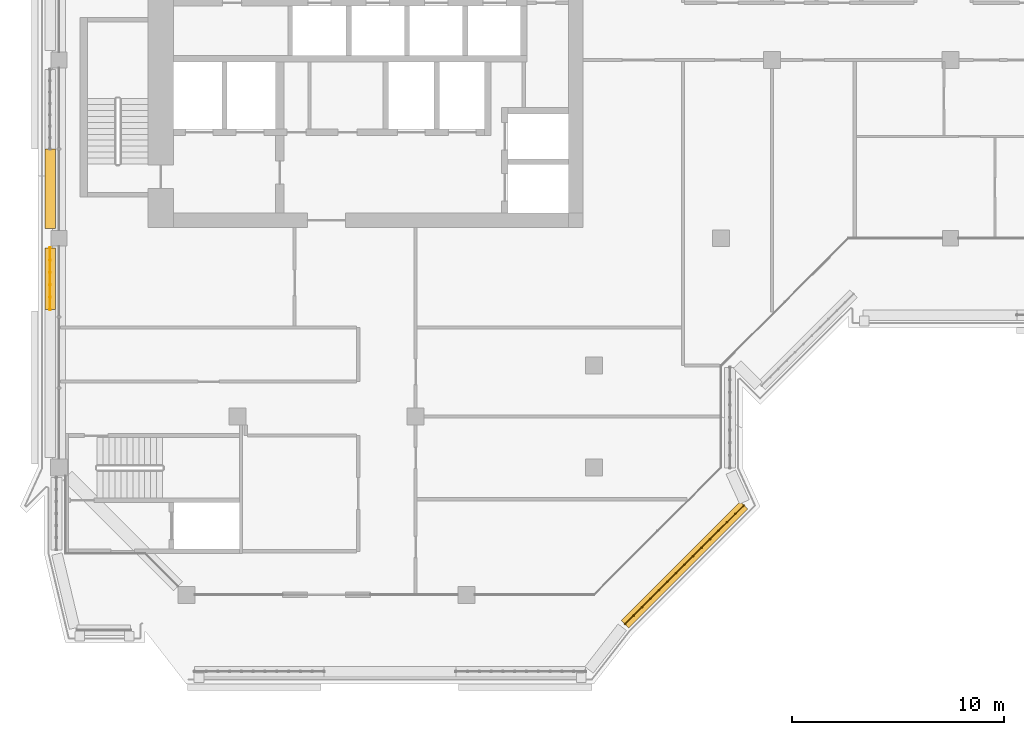
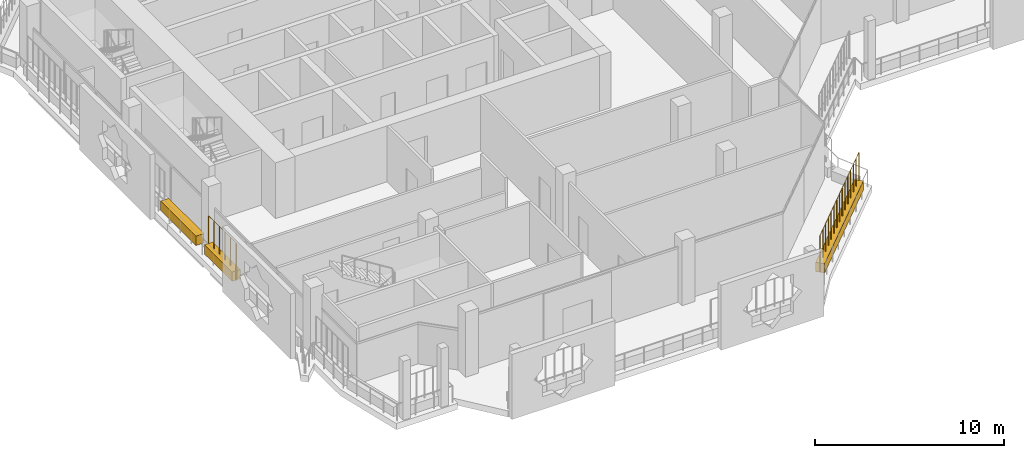
# One storey, part 16 of 21: 3 coverings, 2 railings.
"""IFC4 building model written with IfcOpenShell, lengths in metres."""

from ifc_helpers import new_model, si_unit, direction, frame, origin, origin_2d, place, context, subcontext, project, spatial, rectangle, circle, extrude, material, material_profile, profile_set, type_object, element, save


model = new_model("IFC4")

# Units and contexts
model_context = context("Model", 3, precision=1e-05, world=origin(), true_north=direction((0.0, 1.0)))
body_context = subcontext(model_context, "Body", "Model", "MODEL_VIEW")
ifc_project = project(units=[si_unit("LENGTHUNIT", "METRE"), si_unit("AREAUNIT", "SQUARE_METRE"), si_unit("VOLUMEUNIT", "CUBIC_METRE"), si_unit("PLANEANGLEUNIT", "RADIAN"), si_unit("MASSUNIT", "GRAM", prefix="KILO")], contexts=[model_context])

# Site, building, storey
site_placement = place(None, origin())
site = spatial("IfcSite", under=ifc_project, at=site_placement, CompositionType="ELEMENT")
building_placement = place(site_placement, origin())
building = spatial("IfcBuilding", under=site, at=building_placement, Name="Kawkab Arch Medical Tower", CompositionType="ELEMENT")
storey_placement = place(building_placement, frame((0.0, 0.0, 319.60009765625)))
storey = spatial("IfcBuildingStorey", under=building, at=storey_placement, Name="L74", CompositionType="ELEMENT", Elevation=319.60009765625)

# Coverings
ifc_material_1 = material(Name="Planting soil in a precast trough", Category="concrete")
ifc_material_profile = material_profile(ifc_material_1, rectangle(XDim=0.5, YDim=0.60009765625, at=origin_2d()), Name="Trough 500x600")
ifc_profile_set = profile_set([ifc_material_profile], Name="Planting soil in a precast trough")
covering_type = type_object("IfcCoveringType", Name="Planter trough 500 x 600", PredefinedType="USERDEFINED", material=ifc_profile_set)
covering_1_placement = place(storey_placement, frame((-0.419921875, -28.56298828125, 0.2998046875), z_axis=(0.0, 1.0, 0.0), x_axis=(-1.0, 0.0, 0.0)))
element("IfcCovering", 1, at=covering_1_placement, inside=storey, type_object=covering_type, Name="Planter L74.LOG-01-01.5", ObjectType="PLANTER", PredefinedType="USERDEFINED", context=body_context, shape_type="SweptSolid", body=[
    extrude(rectangle(XDim=0.5, YDim=0.60009765625, at=origin_2d()), origin(), (0.0, 0.0, 1.0), 2.909912109375),
])
covering_2_placement = place(storey_placement, frame((-0.419921875, -24.7470703125, 0.2998046875), z_axis=(0.0, 1.0, 0.0), x_axis=(-1.0, 0.0, 0.0)))
element("IfcCovering", 2, at=covering_2_placement, inside=storey, type_object=covering_type, Name="Planter L74.LOG-01-01.6", ObjectType="PLANTER", PredefinedType="USERDEFINED", context=body_context, shape_type="SweptSolid", body=[
    extrude(rectangle(XDim=0.5, YDim=0.60009765625, at=origin_2d()), origin(), (0.0, 0.0, 1.0), 3.7470703125),
])
covering_3_placement = place(storey_placement, frame((32.27294921875, -37.782958984375, 0.2998046875), z_axis=(-0.707091367247, -0.70712219479, 0.0), x_axis=(0.70712219479, -0.707091367247, 0.0)))
element("IfcCovering", 3, at=covering_3_placement, inside=storey, type_object=covering_type, Name="Planter L74.LOG-01-01.33", ObjectType="PLANTER", PredefinedType="USERDEFINED", context=body_context, shape_type="SweptSolid", body=[
    extrude(rectangle(XDim=0.5, YDim=0.60009765625, at=origin_2d()), origin(), (0.0, 0.0, 1.0), 7.919677734375),
])

# Railings
ifc_material_2 = material(Name="Bronze anodised aluminium trellis for climbing plants", Category="aluminium")
railing_type = type_object("IfcRailingType", Name="Planting trellis 2400", PredefinedType="USERDEFINED", material=ifc_material_2)
railing_1_placement = place(storey_placement, frame((-0.419921875, -28.56298828125, 0.0)))
element("IfcRailing", 4, at=railing_1_placement, inside=storey, type_object=railing_type, Name="Planting trellis L74.LOG-01-01.5", ObjectType="TRELLIS", PredefinedType="USERDEFINED", context=body_context, shape_type="SweptSolid", body=[
    extrude(circle(Radius=0.01513671875, at=origin_2d()), frame((0.0, 0.0, 2.384765625), z_axis=(0.0, 1.0, 0.0), x_axis=(-1.0, 0.0, 0.0)), (0.0, 0.0, 1.0), 2.909912109375),
    extrude(circle(Radius=0.030029296875, at=origin_2d()), origin(), (0.0, 0.0, 1.0), 2.369873046875),
    extrude(circle(Radius=0.030029296875, at=origin_2d()), frame((0.0, 0.58203125, 0.0)), (0.0, 0.0, 1.0), 2.369873046875),
    extrude(circle(Radius=0.030029296875, at=origin_2d()), frame((0.0, 1.1640625, 0.0)), (0.0, 0.0, 1.0), 2.369873046875),
    extrude(circle(Radius=0.030029296875, at=origin_2d()), frame((0.0, 1.745849609375, 0.0)), (0.0, 0.0, 1.0), 2.369873046875),
    extrude(circle(Radius=0.030029296875, at=origin_2d()), frame((0.0, 2.327880859375, 0.0)), (0.0, 0.0, 1.0), 2.369873046875),
    extrude(circle(Radius=0.030029296875, at=origin_2d()), frame((0.0, 2.909912109375, 0.0)), (0.0, 0.0, 1.0), 2.369873046875),
])
railing_2_placement = place(storey_placement, frame((32.27294921875, -37.782958984375, 0.0)))
element("IfcRailing", 5, at=railing_2_placement, inside=storey, type_object=railing_type, Name="Planting trellis L74.LOG-01-01.33", ObjectType="TRELLIS", PredefinedType="USERDEFINED", context=body_context, shape_type="SweptSolid", body=[
    extrude(circle(Radius=0.01513671875, at=origin_2d()), frame((0.0, 0.0, 2.384765625), z_axis=(-0.707091367247, -0.70712219479, 0.0), x_axis=(0.70712219479, -0.707091367247, 0.0)), (0.0, 0.0, 1.0), 7.919677734375),
    extrude(circle(Radius=0.030029296875, at=origin_2d()), origin(), (0.0, 0.0, 1.0), 2.369873046875),
    extrude(circle(Radius=0.030029296875, at=origin_2d()), frame((-0.39990234375, -0.39990234375, 0.0)), (0.0, 0.0, 1.0), 2.369873046875),
    extrude(circle(Radius=0.030029296875, at=origin_2d()), frame((-0.800048828125, -0.800048828125, 0.0)), (0.0, 0.0, 1.0), 2.369873046875),
    extrude(circle(Radius=0.030029296875, at=origin_2d()), frame((-1.199951171875, -1.199951171875, 0.0)), (0.0, 0.0, 1.0), 2.369873046875),
    extrude(circle(Radius=0.030029296875, at=origin_2d()), frame((-1.599853515625, -1.60009765625, 0.0)), (0.0, 0.0, 1.0), 2.369873046875),
    extrude(circle(Radius=0.030029296875, at=origin_2d()), frame((-2.0, -2.0, 0.0)), (0.0, 0.0, 1.0), 2.369873046875),
    extrude(circle(Radius=0.030029296875, at=origin_2d()), frame((-2.39990234375, -2.400146484375, 0.0)), (0.0, 0.0, 1.0), 2.369873046875),
    extrude(circle(Radius=0.030029296875, at=origin_2d()), frame((-2.7998046875, -2.800048828125, 0.0)), (0.0, 0.0, 1.0), 2.369873046875),
    extrude(circle(Radius=0.030029296875, at=origin_2d()), frame((-3.199951171875, -3.199951171875, 0.0)), (0.0, 0.0, 1.0), 2.369873046875),
    extrude(circle(Radius=0.030029296875, at=origin_2d()), frame((-3.599853515625, -3.60009765625, 0.0)), (0.0, 0.0, 1.0), 2.369873046875),
    extrude(circle(Radius=0.030029296875, at=origin_2d()), frame((-4.0, -4.0, 0.0)), (0.0, 0.0, 1.0), 2.369873046875),
    extrude(circle(Radius=0.030029296875, at=origin_2d()), frame((-4.39990234375, -4.400146484375, 0.0)), (0.0, 0.0, 1.0), 2.369873046875),
    extrude(circle(Radius=0.030029296875, at=origin_2d()), frame((-4.7998046875, -4.800048828125, 0.0)), (0.0, 0.0, 1.0), 2.369873046875),
    extrude(circle(Radius=0.030029296875, at=origin_2d()), frame((-5.199951171875, -5.2001953125, 0.0)), (0.0, 0.0, 1.0), 2.369873046875),
    extrude(circle(Radius=0.030029296875, at=origin_2d()), frame((-5.599853515625, -5.60009765625, 0.0)), (0.0, 0.0, 1.0), 2.369873046875),
])

save(model, "model.ifc")
